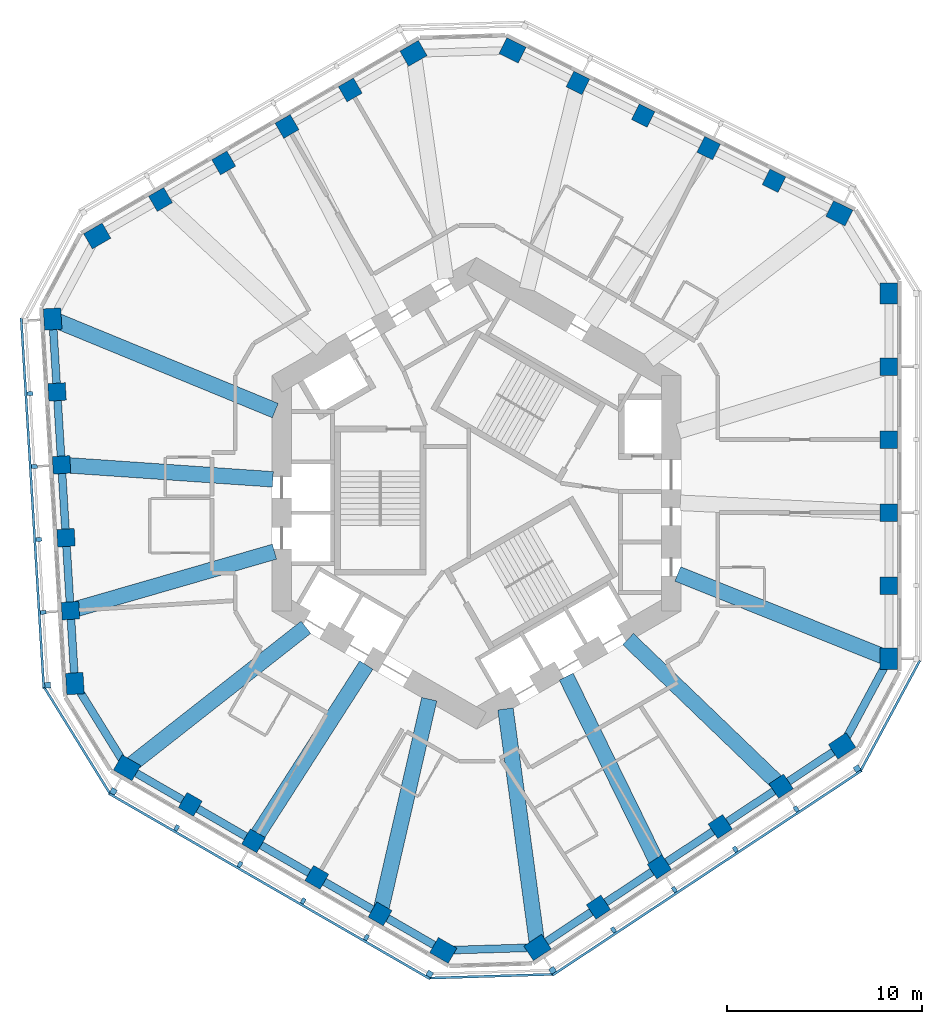
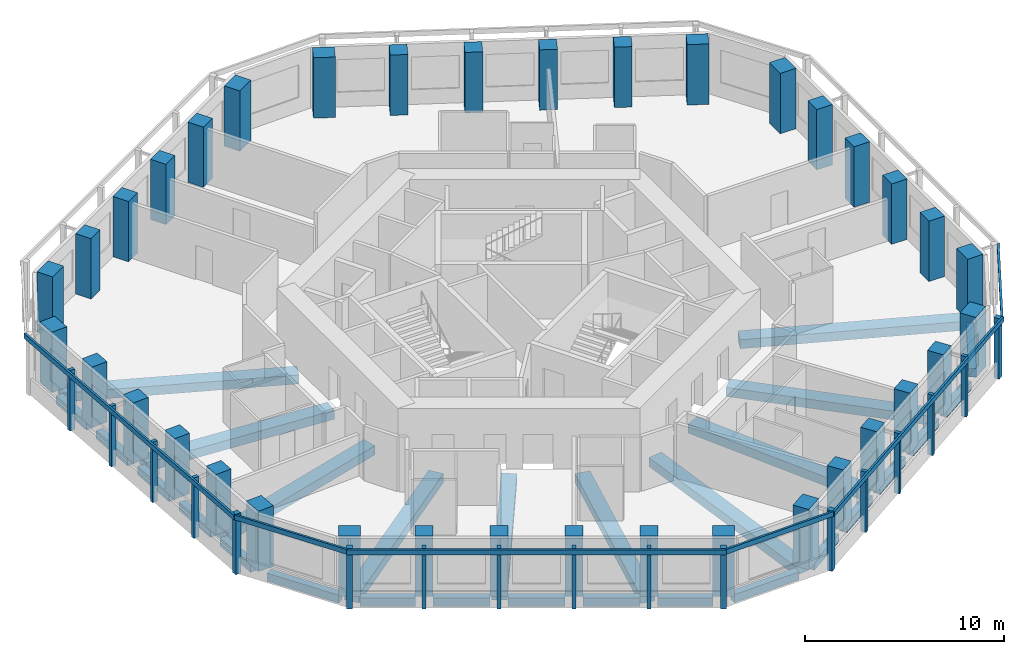
# One storey, part 1 of 11: 36 columns, 28 beams, 23 members, 6 elements without a shape of their own.
"""IFC4 building model written with IfcOpenShell, lengths in metres."""

import ifcopenshell
import ifcopenshell.guid

model = None  # the IFC model being written
_history = None  # IfcOwnerHistory: only IFC2X3 demands one
_inside = {}  # id of a spatial element -> (the spatial element, [elements in it])
_under = {}  # id of a project, library or spatial element -> (it, [spatial elements below it])
_declared = {}  # id of a project -> (the project, [libraries it declares])
_typed = {}  # id of a type object -> (the type object, [elements of that type])
_made_of = {}  # id of a material, layer set ... -> (it, [elements and type objects made of it])


def new_model(schema):
    """Start an empty IFC model of exactly this schema.

    Asked for "IFC4X3", IfcOpenShell would pick the latest addendum, in which some entities
    have other attributes; the version numbers below select the first issue.
    IFC2X3 requires an IfcOwnerHistory on every rooted entity: one is made here for all.
    """
    global model, _history
    if schema == "IFC4X3":
        model = ifcopenshell.file(schema_version=(4, 3, 0, 0))
    else:
        model = ifcopenshell.file(schema=schema)
    _inside.clear()
    _under.clear()
    _declared.clear()
    _typed.clear()
    _made_of.clear()
    _history = None
    if model.schema == "IFC2X3":
        org = make("IfcOrganization", Name="unknown")
        user = make(
            "IfcPersonAndOrganization",
            ThePerson=make("IfcPerson", FamilyName="unknown"),
            TheOrganization=org,
        )
        app = make(
            "IfcApplication",
            ApplicationDeveloper=org,
            Version="unknown",
            ApplicationFullName="unknown",
            ApplicationIdentifier="unknown",
        )
        _history = make(
            "IfcOwnerHistory",
            OwningUser=user,
            OwningApplication=app,
            ChangeAction="ADDED",
            CreationDate=0,
        )
    return model


def make(cls, **values):
    """One entity of the class cls with the attributes given. An attribute that is None is left unset."""
    return model.create_entity(
        cls, **{name: value for name, value in values.items() if value is not None}
    )


def rooted(cls, **values):
    """An entity with a GlobalId (a new one), such as an element, a storey or a relation."""
    return make(cls, GlobalId=ifcopenshell.guid.new(), OwnerHistory=_history, **values)


def si_unit(unit_type, name, prefix=None):
    """IfcSIUnit, for example si_unit("LENGTHUNIT", "METRE", prefix="MILLI")."""
    return make("IfcSIUnit", UnitType=unit_type, Prefix=prefix, Name=name)


def assignment(units):
    """IfcUnitAssignment: the units of a project."""
    return None if units is None else make("IfcUnitAssignment", Units=units)


def point(xyz):
    """IfcCartesianPoint."""
    return None if xyz is None else make("IfcCartesianPoint", Coordinates=xyz)


def direction(xyz):
    """IfcDirection."""
    return None if xyz is None else make("IfcDirection", DirectionRatios=xyz)


def frame(location, z_axis=None, x_axis=None):
    """IfcAxis2Placement3D, a coordinate frame: its origin and axes. An axis left out is left unset."""
    return make(
        "IfcAxis2Placement3D",
        Location=point(location),
        Axis=direction(z_axis),
        RefDirection=direction(x_axis),
    )


def frame_2d(location, x_axis=None):
    """IfcAxis2Placement2D, a coordinate frame in the plane: its origin and x axis."""
    return make(
        "IfcAxis2Placement2D", Location=point(location), RefDirection=direction(x_axis)
    )


def origin():
    """The frame at (0, 0, 0) with its axes left unset."""
    return frame((0.0, 0.0, 0.0))


def origin_2d():
    """The frame at (0, 0) in the plane with its x axis left unset."""
    return frame_2d((0.0, 0.0))


def place(relative_to, where):
    """IfcLocalPlacement: puts the frame where relative to a parent placement (None: the world)."""
    return make(
        "IfcLocalPlacement", PlacementRelTo=relative_to, RelativePlacement=where
    )


def context(
    kind, dimensions, precision=None, world=None, true_north=None, identifier=None
):
    """IfcGeometricRepresentationContext, for example the 3D "Model" context."""
    return make(
        "IfcGeometricRepresentationContext",
        ContextIdentifier=identifier,
        ContextType=kind,
        CoordinateSpaceDimension=dimensions,
        Precision=precision,
        WorldCoordinateSystem=world,
        TrueNorth=true_north,
    )


def subcontext(parent, identifier, kind, view, scale=None):
    """IfcGeometricRepresentationSubContext, for example "Body" below "Model"."""
    return make(
        "IfcGeometricRepresentationSubContext",
        ContextIdentifier=identifier,
        ContextType=kind,
        ParentContext=parent,
        TargetScale=scale,
        TargetView=view,
    )


def project(units=None, contexts=None):
    """IfcProject with its units and contexts."""
    return rooted(
        "IfcProject",
        Name="project",
        RepresentationContexts=contexts,
        UnitsInContext=assignment(units),
    )


def spatial(cls, under=None, at=None, **own):
    """A site, building, storey or space (cls), placed at a placement, below another one or the project."""
    s = rooted(cls, ObjectPlacement=at, **own)
    if under is not None:
        _under.setdefault(under.id(), (under, []))[1].append(s)
    return s


def profile(cls, at=None, kind="AREA", **sizes):
    """A parametric profile (cls). Its sizes go by their IFC names, for example OverallWidth=200.0."""
    return make(cls, ProfileType=kind, Position=at, **sizes)


def rectangle(**sizes):
    """IfcRectangleProfileDef."""
    return profile("IfcRectangleProfileDef", **sizes)


def extrude(swept, where, along, depth):
    """IfcExtrudedAreaSolid: the profile swept, set in the frame where, extruded along a direction by depth."""
    return make(
        "IfcExtrudedAreaSolid",
        SweptArea=swept,
        Position=where,
        ExtrudedDirection=direction(along),
        Depth=depth,
    )


def shape(context_of_items, identifier, shape_type, items):
    """IfcShapeRepresentation: the items that make up one representation, for example the "Body"."""
    return make(
        "IfcShapeRepresentation",
        ContextOfItems=context_of_items,
        RepresentationIdentifier=identifier,
        RepresentationType=shape_type,
        Items=items,
    )


def material(Name=None, Category=None):
    """IfcMaterial."""
    return make("IfcMaterial", Name=Name, Category=Category)


def material_profile(
    of_material, cross_section, Name=None, Category=None, Priority=None
):
    """IfcMaterialProfile: a cross section and its material."""
    return make(
        "IfcMaterialProfile",
        Name=Name,
        Material=of_material,
        Profile=cross_section,
        Priority=Priority,
        Category=Category,
    )


def profile_set(profiles, Name=None, composite=None):
    """IfcMaterialProfileSet."""
    return make(
        "IfcMaterialProfileSet",
        Name=Name,
        MaterialProfiles=profiles,
        CompositeProfile=composite,
    )


def made_of(thing, what):
    """Note that an element or type object is made of a material, layer set ...; save() writes the relation."""
    if what is not None:
        _made_of.setdefault(what.id(), (what, []))[1].append(thing)
    return thing


def type_object(cls, material=None, **own):
    """A type object (cls), such as IfcWallType, which elements share."""
    return made_of(rooted(cls, **own), material)


def element(
    cls,
    number,
    at=None,
    inside=None,
    cuts=None,
    type_object=None,
    material=None,
    context=None,
    identifier="Body",
    shape_type=None,
    held_by="IfcProductDefinitionShape",
    body=None,
    shapes=None,
    **own,
):
    """One element of the class cls, such as IfcWall. Its Tag is "e" and its number.

    at: its placement. inside: the storey or other place that contains it. cuts: it is an
    opening in that element (IfcRelVoidsElement). A single representation is given by context,
    identifier, shape_type and body (its items); several are given by shapes. held_by: the class
    of the entity that holds the representations. save() writes the other relations.
    """
    e = rooted(cls, Tag="e%d" % number, ObjectPlacement=at, **own)
    if body is not None:
        shapes = [shape(context, identifier, shape_type, body)]
    if shapes is not None:
        e.Representation = make(held_by, Representations=shapes)
    if inside is not None:
        _inside.setdefault(inside.id(), (inside, []))[1].append(e)
    if cuts is not None:
        rooted(
            "IfcRelVoidsElement", RelatingBuildingElement=cuts, RelatedOpeningElement=e
        )
    if type_object is not None:
        _typed.setdefault(type_object.id(), (type_object, []))[1].append(e)
    return made_of(e, material)


def aggregate(whole, parts):
    """IfcRelAggregates: a whole, such as a stair, and the parts it consists of."""
    return rooted("IfcRelAggregates", RelatingObject=whole, RelatedObjects=parts)


def save(model, path):
    """Write the relations noted so far, then the file.

    IfcRelAggregates (storeys below a building ...), IfcRelContainedInSpatialStructure (elements
    in a storey), IfcRelDefinesByType, IfcRelAssociatesMaterial and IfcRelDeclares: one each for
    every whole, place, type object, material and project.
    """
    for whole, parts in _under.values():
        aggregate(whole, parts)
    for where, things in _inside.values():
        rooted(
            "IfcRelContainedInSpatialStructure",
            RelatedElements=things,
            RelatingStructure=where,
        )
    for kind, things in _typed.values():
        rooted("IfcRelDefinesByType", RelatedObjects=things, RelatingType=kind)
    for what, things in _made_of.values():
        rooted("IfcRelAssociatesMaterial", RelatedObjects=things, RelatingMaterial=what)
    for by, libraries in _declared.values():
        rooted("IfcRelDeclares", RelatingContext=by, RelatedDefinitions=libraries)
    model.write(path)


model = new_model("IFC4")

# Units and contexts
model_context = context("Model", 3, precision=1e-05, world=origin(), true_north=direction((0.0, 1.0)))
body_context = subcontext(model_context, "Body", "Model", "MODEL_VIEW")
ifc_project = project(units=[si_unit("LENGTHUNIT", "METRE"), si_unit("AREAUNIT", "SQUARE_METRE"), si_unit("VOLUMEUNIT", "CUBIC_METRE"), si_unit("PLANEANGLEUNIT", "RADIAN"), si_unit("MASSUNIT", "GRAM", prefix="KILO")], contexts=[model_context])

# Site, building, storey
site_placement = place(None, origin())
site = spatial("IfcSite", under=ifc_project, at=site_placement, CompositionType="ELEMENT")
building_placement = place(site_placement, origin())
building = spatial("IfcBuilding", under=site, at=building_placement, Name="Vanh Sen Convention Tower", CompositionType="ELEMENT")
storey_placement = place(building_placement, frame((0.0, 0.0, 202.10009765625)))
storey = spatial("IfcBuildingStorey", under=building, at=storey_placement, Name="L50", CompositionType="ELEMENT", Elevation=202.10009765625)

# Columns
ifc_material_1 = material(Name="Concrete C80/95", Category="concrete")
ifc_material_profile_1 = material_profile(ifc_material_1, rectangle(XDim=0.89990234375, YDim=0.89990234375, at=origin_2d()), Name="RC 900X900")
ifc_profile_set_1 = profile_set([ifc_material_profile_1], Name="Concrete C80/95")
column_type_1 = type_object("IfcColumnType", Name="Facade column 900 x 900 C80/95", PredefinedType="COLUMN", material=ifc_profile_set_1)
for number, where, z_axis, x_axis, name in (
    (1, (21.199951171875, -4.746826171875, 0.0), (0.0, 0.0, 1.0), (0.0, 1.0, 0.0), "Facade column 02 L50"),
    (2, (21.199951171875, -0.992919921875, 0.0), (0.0, 0.0, 1.0), (0.0, 1.0, 0.0), "Facade column 03 L50"),
    (3, (21.199951171875, 2.76123046875, 0.0), (0.0, 0.0, 1.0), (0.0, 1.0, 0.0), "Facade column 04 L50"),
    (4, (21.199951171875, 6.515380859375, 0.0), (0.0, 0.0, 1.0), (0.0, 1.0, 0.0), "Facade column 05 L50"),
    (5, (15.290283203125, 16.0654296875, 0.0), (0.0, 0.0, 1.0), (-0.894934361602, 0.44619781311, 0.0), "Facade column 08 L50"),
    (6, (11.9306640625, 17.740478515625, 0.0), (0.0, 0.0, 1.0), (-0.894934361602, 0.44619781311, 0.0), "Facade column 09 L50"),
    (7, (8.57080078125, 19.41552734375, 0.0), (0.0, 0.0, 1.0), (-0.894934361602, 0.44619781311, 0.0), "Facade column 10 L50"),
    (8, (5.211181640625, 21.0908203125, 0.0), (0.0, 0.0, 1.0), (-0.894934361602, 0.44619781311, 0.0), "Facade column 11 L50"),
    (9, (-6.489013671875, 20.733154296875, 0.0), (0.0, 0.0, 1.0), (-0.866025403784, -0.5, 0.0), "Facade column 14 L50"),
    (10, (-9.740234375, 18.856201171875, 0.0), (0.0, 0.0, 1.0), (-0.866025403784, -0.5, 0.0), "Facade column 15 L50"),
    (11, (-12.991455078125, 16.97900390625, 0.0), (0.0, 0.0, 1.0), (-0.866025403784, -0.5, 0.0), "Facade column 16 L50"),
    (12, (-16.242431640625, 15.10205078125, 0.0), (0.0, 0.0, 1.0), (-0.866025403784, -0.5, 0.0), "Facade column 17 L50"),
    (13, (-21.55810546875, 5.208984375, 0.0), (0.0, 0.0, 1.0), (0.061048539535, -0.998134798422, 0.0), "Facade column 20 L50"),
    (14, (-21.3291015625, 1.4619140625, 0.0), (0.0, 0.0, 1.0), (0.061048539535, -0.998134798422, 0.0), "Facade column 21 L50"),
    (15, (-21.099853515625, -2.28515625, 0.0), (0.0, 0.0, 1.0), (0.061048539535, -0.998134798422, 0.0), "Facade column 22 L50"),
    (16, (-20.87060546875, -6.0322265625, 0.0), (0.0, 0.0, 1.0), (0.061048539535, -0.998134798422, 0.0), "Facade column 23 L50"),
    (17, (-14.7109375, -15.986328125, 0.0), (0.0, 0.0, 1.0), (0.866025403784, -0.5, 0.0), "Facade column 26 L50"),
    (18, (-11.459716796875, -17.86328125, 0.0), (0.0, 0.0, 1.0), (0.866025403784, -0.5, 0.0), "Facade column 27 L50"),
    (19, (-8.20849609375, -19.740478515625, 0.0), (0.0, 0.0, 1.0), (0.866025403784, -0.5, 0.0), "Facade column 28 L50"),
    (20, (-4.95751953125, -21.617431640625, 0.0), (0.0, 0.0, 1.0), (0.866025403784, -0.5, 0.0), "Facade column 29 L50"),
    (21, (6.267822265625, -21.2744140625, 0.0), (0.0, 0.0, 1.0), (0.833885822067, 0.551936985312, 0.0), "Facade column 32 L50"),
    (22, (9.3984375, -19.202392578125, 0.0), (0.0, 0.0, 1.0), (0.833885822067, 0.551936985312, 0.0), "Facade column 33 L50"),
    (23, (12.52880859375, -17.13037109375, 0.0), (0.0, 0.0, 1.0), (0.833885822067, 0.551936985312, 0.0), "Facade column 34 L50"),
    (24, (15.659423828125, -15.058349609375, 0.0), (0.0, 0.0, 1.0), (0.833885822067, 0.551936985312, 0.0), "Facade column 35 L50"),
):
    element("IfcColumn", number, at=place(storey_placement, frame(where, z_axis=z_axis, x_axis=x_axis)), inside=storey, type_object=column_type_1, Name=name, PredefinedType="COLUMN", context=body_context, shape_type="SweptSolid", body=[
        extrude(rectangle(XDim=0.89990234375, YDim=0.89990234375, at=origin_2d()), origin(), (0.0, 0.0, 1.0), 3.699951171875),
    ])
ifc_material_profile_2 = material_profile(ifc_material_1, rectangle(XDim=1.10009765625, YDim=0.89990234375, at=origin_2d()), Name="RC 1100X900")
ifc_profile_set_2 = profile_set([ifc_material_profile_2], Name="Concrete C80/95")
column_type_2 = type_object("IfcColumnType", Name="Facade corner column 1100 x 900 C80/95", PredefinedType="COLUMN", material=ifc_profile_set_2)
for number, where, z_axis, x_axis, name in (
    (25, (21.199951171875, -8.5009765625, 0.0), (0.0, 0.0, 1.0), (0.0, 1.0, 0.0), "Facade column 01 L50"),
    (26, (21.199951171875, 10.26953125, 0.0), (0.0, 0.0, 1.0), (0.0, 1.0, 0.0), "Facade column 06 L50"),
    (27, (18.64990234375, 14.390380859375, 0.0), (0.0, 0.0, 1.0), (-0.894934361602, 0.44619781311, 0.0), "Facade column 07 L50"),
    (28, (1.8515625, 22.765625, 0.0), (0.0, 0.0, 1.0), (-0.894934361602, 0.44619781311, 0.0), "Facade column 12 L50"),
    (29, (-3.23779296875, 22.610107421875, 0.0), (0.0, 0.0, 1.0), (-0.866025403784, -0.5, 0.0), "Facade column 13 L50"),
    (30, (-19.49365234375, 13.22509765625, 0.0), (0.0, 0.0, 1.0), (-0.866025403784, -0.5, 0.0), "Facade column 18 L50"),
    (31, (-21.787353515625, 8.956298828125, 0.0), (0.0, 0.0, 1.0), (0.061048539535, -0.998134798422, 0.0), "Facade column 19 L50"),
    (32, (-20.6416015625, -9.779296875, 0.0), (0.0, 0.0, 1.0), (0.061048539535, -0.998134798422, 0.0), "Facade column 24 L50"),
    (33, (-17.962158203125, -14.109130859375, 0.0), (0.0, 0.0, 1.0), (0.866025403784, -0.5, 0.0), "Facade column 25 L50"),
    (34, (-1.706298828125, -23.494384765625, 0.0), (0.0, 0.0, 1.0), (0.866025403784, -0.5, 0.0), "Facade column 30 L50"),
    (35, (3.137451171875, -23.346435546875, 0.0), (0.0, 0.0, 1.0), (0.833885822067, 0.551936985312, 0.0), "Facade column 31 L50"),
    (36, (18.789794921875, -12.986328125, 0.0), (0.0, 0.0, 1.0), (0.833885822067, 0.551936985312, 0.0), "Facade column 36 L50"),
):
    element("IfcColumn", number, at=place(storey_placement, frame(where, z_axis=z_axis, x_axis=x_axis)), inside=storey, type_object=column_type_2, Name=name, PredefinedType="COLUMN", context=body_context, shape_type="SweptSolid", body=[
        extrude(rectangle(XDim=1.10009765625, YDim=0.89990234375, at=origin_2d()), origin(), (0.0, 0.0, 1.0), 3.699951171875),
    ])

# Curtain wall, member
ifc_material_2 = material(Name="Concrete C50/60", Category="concrete")
curtain_wall_type = type_object("IfcCurtainWallType", Name="Outer skin office zone", PredefinedType="NOTDEFINED", material=ifc_material_2)
curtain_wall_1_placement = place(storey_placement, origin())
curtain_wall_1 = element("IfcCurtainWall", 37, at=curtain_wall_1_placement, inside=storey, type_object=curtain_wall_type, Name="OUTER SKIN W L50", PredefinedType="NOTDEFINED")
ifc_material_profile_3 = material_profile(ifc_material_2, rectangle(XDim=0.300048828125, YDim=0.300048828125, at=origin_2d()), Name="Outer skin precast corner fin 300 x 300")
ifc_profile_set_3 = profile_set([ifc_material_profile_3], Name="Concrete C50/60")
member_type_1 = type_object("IfcMemberType", Name="Outer skin precast corner fin 300 x 300", PredefinedType="MULLION", material=ifc_profile_set_3)
member_1_placement = place(storey_placement, frame((-22.038818359375, -9.864990234375, 0.0), z_axis=(0.0, 0.0, 1.0), x_axis=(0.061048539535, -0.998134798422, 0.0)))
member_1 = element("IfcMember", 38, at=member_1_placement, type_object=member_type_1, Name="OUTER SKIN CORNER FIN 6 W L50", PredefinedType="MULLION", context=body_context, shape_type="SweptSolid", body=[
    extrude(rectangle(XDim=0.300048828125, YDim=0.300048828125, at=origin_2d()), origin(), (0.0, 0.0, 1.0), 3.699951171875),
])

# Curtain wall, members
curtain_wall_2_placement = place(storey_placement, origin())
curtain_wall_2 = element("IfcCurtainWall", 39, at=curtain_wall_2_placement, inside=storey, type_object=curtain_wall_type, Name="OUTER SKIN SW L50", PredefinedType="NOTDEFINED")
member_2_placement = place(storey_placement, frame((-18.662109375, -15.321533203125, 0.0), z_axis=(0.0, 0.0, 1.0), x_axis=(0.866025403784, -0.5, 0.0)))
member_2 = element("IfcMember", 40, at=member_2_placement, type_object=member_type_1, Name="OUTER SKIN CORNER FIN 1 SW L50", PredefinedType="MULLION", context=body_context, shape_type="SweptSolid", body=[
    extrude(rectangle(XDim=0.300048828125, YDim=0.300048828125, at=origin_2d()), origin(), (0.0, 0.0, 1.0), 3.699951171875),
])
member_3_placement = place(storey_placement, frame((-2.40625, -24.706787109375, 0.0), z_axis=(0.0, 0.0, 1.0), x_axis=(0.866025403784, -0.5, 0.0)))
member_3 = element("IfcMember", 41, at=member_3_placement, type_object=member_type_1, Name="OUTER SKIN CORNER FIN 6 SW L50", PredefinedType="MULLION", context=body_context, shape_type="SweptSolid", body=[
    extrude(rectangle(XDim=0.300048828125, YDim=0.300048828125, at=origin_2d()), origin(), (0.0, 0.0, 1.0), 3.699951171875),
])

curtain_wall_3_placement = place(storey_placement, origin())
curtain_wall_3 = element("IfcCurtainWall", 42, at=curtain_wall_3_placement, inside=storey, type_object=curtain_wall_type, Name="OUTER SKIN SE L50", PredefinedType="NOTDEFINED")
member_4_placement = place(storey_placement, frame((3.91015625, -24.513916015625, 0.0), z_axis=(0.0, 0.0, 1.0), x_axis=(0.833885822067, 0.551936985312, 0.0)))
member_4 = element("IfcMember", 43, at=member_4_placement, type_object=member_type_1, Name="OUTER SKIN CORNER FIN 1 SE L50", PredefinedType="MULLION", context=body_context, shape_type="SweptSolid", body=[
    extrude(rectangle(XDim=0.300048828125, YDim=0.300048828125, at=origin_2d()), origin(), (0.0, 0.0, 1.0), 3.699951171875),
])
member_5_placement = place(storey_placement, frame((19.5625, -14.15380859375, 0.0), z_axis=(0.0, 0.0, 1.0), x_axis=(0.833885822067, 0.551936985312, 0.0)))
member_5 = element("IfcMember", 44, at=member_5_placement, type_object=member_type_1, Name="OUTER SKIN CORNER FIN 6 SE L50", PredefinedType="MULLION", context=body_context, shape_type="SweptSolid", body=[
    extrude(rectangle(XDim=0.300048828125, YDim=0.300048828125, at=origin_2d()), origin(), (0.0, 0.0, 1.0), 3.699951171875),
])

# Member
ifc_material_profile_4 = material_profile(ifc_material_2, rectangle(XDim=0.199951171875, YDim=0.300048828125, at=origin_2d()), Name="Outer skin precast fin 200 x 300")
ifc_profile_set_4 = profile_set([ifc_material_profile_4], Name="Concrete C50/60")
member_type_2 = type_object("IfcMemberType", Name="Outer skin precast fin 200 x 300", PredefinedType="MULLION", material=ifc_profile_set_4)
member_6_placement = place(storey_placement, frame((-22.95556640625, 5.12353515625, 0.0), z_axis=(0.0, 0.0, 1.0), x_axis=(0.061048539535, -0.998134798422, 0.0)))
member_6 = element("IfcMember", 45, at=member_6_placement, type_object=member_type_2, Name="OUTER SKIN fin 2 W L50", PredefinedType="MULLION", context=body_context, shape_type="SweptSolid", body=[
    extrude(rectangle(XDim=0.199951171875, YDim=0.300048828125, at=origin_2d()), origin(), (0.0, 0.0, 1.0), 3.699951171875),
])

member_7_placement = place(storey_placement, frame((-22.726318359375, 1.37646484375, 0.0), z_axis=(0.0, 0.0, 1.0), x_axis=(0.061048539535, -0.998134798422, 0.0)))
member_7 = element("IfcMember", 46, at=member_7_placement, type_object=member_type_2, Name="OUTER SKIN fin 3 W L50", PredefinedType="MULLION", context=body_context, shape_type="SweptSolid", body=[
    extrude(rectangle(XDim=0.199951171875, YDim=0.300048828125, at=origin_2d()), origin(), (0.0, 0.0, 1.0), 3.699951171875),
])

member_8_placement = place(storey_placement, frame((-22.497314453125, -2.37060546875, 0.0), z_axis=(0.0, 0.0, 1.0), x_axis=(0.061048539535, -0.998134798422, 0.0)))
member_8 = element("IfcMember", 47, at=member_8_placement, type_object=member_type_2, Name="OUTER SKIN fin 4 W L50", PredefinedType="MULLION", context=body_context, shape_type="SweptSolid", body=[
    extrude(rectangle(XDim=0.199951171875, YDim=0.300048828125, at=origin_2d()), origin(), (0.0, 0.0, 1.0), 3.699951171875),
])

member_9_placement = place(storey_placement, frame((-22.26806640625, -6.117919921875, 0.0), z_axis=(0.0, 0.0, 1.0), x_axis=(0.061048539535, -0.998134798422, 0.0)))
member_9 = element("IfcMember", 48, at=member_9_placement, type_object=member_type_2, Name="OUTER SKIN fin 5 W L50", PredefinedType="MULLION", context=body_context, shape_type="SweptSolid", body=[
    extrude(rectangle(XDim=0.199951171875, YDim=0.300048828125, at=origin_2d()), origin(), (0.0, 0.0, 1.0), 3.699951171875),
])

member_10_placement = place(storey_placement, frame((-15.410888671875, -17.19873046875, 0.0), z_axis=(0.0, 0.0, 1.0), x_axis=(0.866025403784, -0.5, 0.0)))
member_10 = element("IfcMember", 49, at=member_10_placement, type_object=member_type_2, Name="OUTER SKIN fin 2 SW L50", PredefinedType="MULLION", context=body_context, shape_type="SweptSolid", body=[
    extrude(rectangle(XDim=0.199951171875, YDim=0.300048828125, at=origin_2d()), origin(), (0.0, 0.0, 1.0), 3.699951171875),
])

member_11_placement = place(storey_placement, frame((-12.159912109375, -19.07568359375, 0.0), z_axis=(0.0, 0.0, 1.0), x_axis=(0.866025403784, -0.5, 0.0)))
member_11 = element("IfcMember", 50, at=member_11_placement, type_object=member_type_2, Name="OUTER SKIN fin 3 SW L50", PredefinedType="MULLION", context=body_context, shape_type="SweptSolid", body=[
    extrude(rectangle(XDim=0.199951171875, YDim=0.300048828125, at=origin_2d()), origin(), (0.0, 0.0, 1.0), 3.699951171875),
])

member_12_placement = place(storey_placement, frame((-8.90869140625, -20.952880859375, 0.0), z_axis=(0.0, 0.0, 1.0), x_axis=(0.866025403784, -0.5, 0.0)))
member_12 = element("IfcMember", 51, at=member_12_placement, type_object=member_type_2, Name="OUTER SKIN fin 4 SW L50", PredefinedType="MULLION", context=body_context, shape_type="SweptSolid", body=[
    extrude(rectangle(XDim=0.199951171875, YDim=0.300048828125, at=origin_2d()), origin(), (0.0, 0.0, 1.0), 3.699951171875),
])

member_13_placement = place(storey_placement, frame((-5.657470703125, -22.829833984375, 0.0), z_axis=(0.0, 0.0, 1.0), x_axis=(0.866025403784, -0.5, 0.0)))
member_13 = element("IfcMember", 52, at=member_13_placement, type_object=member_type_2, Name="OUTER SKIN fin 5 SW L50", PredefinedType="MULLION", context=body_context, shape_type="SweptSolid", body=[
    extrude(rectangle(XDim=0.199951171875, YDim=0.300048828125, at=origin_2d()), origin(), (0.0, 0.0, 1.0), 3.699951171875),
])

member_14_placement = place(storey_placement, frame((7.04052734375, -22.44189453125, 0.0), z_axis=(0.0, 0.0, 1.0), x_axis=(0.833885822067, 0.551936985312, 0.0)))
member_14 = element("IfcMember", 53, at=member_14_placement, type_object=member_type_2, Name="OUTER SKIN fin 2 SE L50", PredefinedType="MULLION", context=body_context, shape_type="SweptSolid", body=[
    extrude(rectangle(XDim=0.199951171875, YDim=0.300048828125, at=origin_2d()), origin(), (0.0, 0.0, 1.0), 3.699951171875),
])

member_15_placement = place(storey_placement, frame((10.171142578125, -20.369873046875, 0.0), z_axis=(0.0, 0.0, 1.0), x_axis=(0.833885822067, 0.551936985312, 0.0)))
member_15 = element("IfcMember", 54, at=member_15_placement, type_object=member_type_2, Name="OUTER SKIN fin 3 SE L50", PredefinedType="MULLION", context=body_context, shape_type="SweptSolid", body=[
    extrude(rectangle(XDim=0.199951171875, YDim=0.300048828125, at=origin_2d()), origin(), (0.0, 0.0, 1.0), 3.699951171875),
])

member_16_placement = place(storey_placement, frame((13.301513671875, -18.2978515625, 0.0), z_axis=(0.0, 0.0, 1.0), x_axis=(0.833885822067, 0.551936985312, 0.0)))
member_16 = element("IfcMember", 55, at=member_16_placement, type_object=member_type_2, Name="OUTER SKIN fin 4 SE L50", PredefinedType="MULLION", context=body_context, shape_type="SweptSolid", body=[
    extrude(rectangle(XDim=0.199951171875, YDim=0.300048828125, at=origin_2d()), origin(), (0.0, 0.0, 1.0), 3.699951171875),
])

member_17_placement = place(storey_placement, frame((16.43212890625, -16.225830078125, 0.0), z_axis=(0.0, 0.0, 1.0), x_axis=(0.833885822067, 0.551936985312, 0.0)))
member_17 = element("IfcMember", 56, at=member_17_placement, type_object=member_type_2, Name="OUTER SKIN fin 5 SE L50", PredefinedType="MULLION", context=body_context, shape_type="SweptSolid", body=[
    extrude(rectangle(XDim=0.199951171875, YDim=0.300048828125, at=origin_2d()), origin(), (0.0, 0.0, 1.0), 3.699951171875),
])

ifc_material_profile_5 = material_profile(ifc_material_2, rectangle(XDim=0.1201171875, YDim=0.300048828125, at=origin_2d()), Name="Outer skin precast spandrel band 300 x 120")
ifc_profile_set_5 = profile_set([ifc_material_profile_5], Name="Concrete C50/60")
member_type_3 = type_object("IfcMemberType", Name="Outer skin precast spandrel band 300 x 120", PredefinedType="USERDEFINED", material=ifc_profile_set_5)
member_18_placement = place(storey_placement, frame((-23.403564453125, 9.007568359375, 3.5498046875), z_axis=(0.061052799403, -0.998134537868, 0.0), x_axis=(0.998134537868, 0.061052799403, 0.0)))
member_18 = element("IfcMember", 57, at=member_18_placement, type_object=member_type_3, Name="OUTER SKIN spandrel band W L50", ObjectType="TRANSOM", PredefinedType="USERDEFINED", context=body_context, shape_type="SweptSolid", body=[
    extrude(rectangle(XDim=0.1201171875, YDim=0.300048828125, at=origin_2d()), origin(), (0.0, 0.0, 1.0), 19.070556640625),
])

aggregate(curtain_wall_1, [member_6, member_7, member_8, member_9, member_1, member_18])

# Curtain wall, member
curtain_wall_4_placement = place(storey_placement, origin())
curtain_wall_4 = element("IfcCurtainWall", 58, at=curtain_wall_4_placement, inside=storey, type_object=curtain_wall_type, Name="OUTER SKIN CH4 L50", PredefinedType="NOTDEFINED")
member_19_placement = place(storey_placement, frame((-22.217529296875, -9.975341796875, 3.5498046875), z_axis=(0.526207913146, -0.85035594438, 0.0), x_axis=(0.85035594438, 0.526207913146, 0.0)))
member_19 = element("IfcMember", 59, at=member_19_placement, type_object=member_type_3, Name="OUTER SKIN spandrel band CH4 L50", ObjectType="TRANSOM", PredefinedType="USERDEFINED", context=body_context, shape_type="SweptSolid", body=[
    extrude(rectangle(XDim=0.1201171875, YDim=0.300048828125, at=origin_2d()), origin(), (0.0, 0.0, 1.0), 6.4169921875),
])
aggregate(curtain_wall_4, [member_19])

# Member
member_20_placement = place(storey_placement, frame((-18.89697265625, -15.428466796875, 3.5498046875), z_axis=(0.866023136587, -0.500003926881, 0.0), x_axis=(0.500003926881, 0.866023136587, 0.0)))
member_20 = element("IfcMember", 60, at=member_20_placement, type_object=member_type_3, Name="OUTER SKIN spandrel band SW L50", ObjectType="TRANSOM", PredefinedType="USERDEFINED", context=body_context, shape_type="SweptSolid", body=[
    extrude(rectangle(XDim=0.1201171875, YDim=0.300048828125, at=origin_2d()), origin(), (0.0, 0.0, 1.0), 19.070556640625),
])

aggregate(curtain_wall_2, [member_2, member_10, member_11, member_12, member_13, member_3, member_20])

# Curtain wall, member
curtain_wall_5_placement = place(storey_placement, origin())
curtain_wall_5 = element("IfcCurtainWall", 61, at=curtain_wall_5_placement, inside=storey, type_object=curtain_wall_type, Name="OUTER SKIN CH5 L50", PredefinedType="NOTDEFINED")
member_21_placement = place(storey_placement, frame((-2.39990234375, -24.916748046875, 3.5498046875), z_axis=(0.99953413443, 0.030520716071, 0.0), x_axis=(-0.030520716071, 0.99953413443, 0.0)))
member_21 = element("IfcMember", 62, at=member_21_placement, type_object=member_type_3, Name="OUTER SKIN spandrel band CH5 L50", ObjectType="TRANSOM", PredefinedType="USERDEFINED", context=body_context, shape_type="SweptSolid", body=[
    extrude(rectangle(XDim=0.1201171875, YDim=0.300048828125, at=origin_2d()), origin(), (0.0, 0.0, 1.0), 6.3193359375),
])
aggregate(curtain_wall_5, [member_21])

# Member
member_22_placement = place(storey_placement, frame((3.90087890625, -24.771728515625, 3.5498046875), z_axis=(0.833891134859, 0.551928958475, 0.0), x_axis=(-0.551928958475, 0.833891134859, 0.0)))
member_22 = element("IfcMember", 63, at=member_22_placement, type_object=member_type_3, Name="OUTER SKIN spandrel band SE L50", ObjectType="TRANSOM", PredefinedType="USERDEFINED", context=body_context, shape_type="SweptSolid", body=[
    extrude(rectangle(XDim=0.1201171875, YDim=0.300048828125, at=origin_2d()), origin(), (0.0, 0.0, 1.0), 19.070556640625),
])

aggregate(curtain_wall_3, [member_4, member_14, member_15, member_16, member_17, member_5, member_22])

# Curtain wall, member
curtain_wall_6_placement = place(storey_placement, origin())
curtain_wall_6 = element("IfcCurtainWall", 64, at=curtain_wall_6_placement, inside=storey, type_object=curtain_wall_type, Name="OUTER SKIN CH6 L50", PredefinedType="NOTDEFINED")
member_23_placement = place(storey_placement, frame((19.74755859375, -14.253173828125, 3.5498046875), z_axis=(0.473316922434, 0.880892213008, 0.0), x_axis=(-0.880892213008, 0.473316922434, 0.0)))
member_23 = element("IfcMember", 65, at=member_23_placement, type_object=member_type_3, Name="OUTER SKIN spandrel band CH6 L50", ObjectType="TRANSOM", PredefinedType="USERDEFINED", context=body_context, shape_type="SweptSolid", body=[
    extrude(rectangle(XDim=0.1201171875, YDim=0.300048828125, at=origin_2d()), origin(), (0.0, 0.0, 1.0), 6.417236328125),
])
aggregate(curtain_wall_6, [member_23])

# Beams
ifc_material_3 = material(Name="Concrete C50/60", Category="concrete")
ifc_material_profile_6 = material_profile(ifc_material_3, rectangle(XDim=0.800048828125, YDim=0.550048828125, at=origin_2d()), Name="RC 800X550")
ifc_profile_set_6 = profile_set([ifc_material_profile_6], Name="Concrete C50/60")
beam_type_1 = type_object("IfcBeamType", Name="Radial floor beam 800 x 550", PredefinedType="BEAM", material=ifc_profile_set_6)
beam_1_placement = place(storey_placement, frame((20.903564453125, -8.382080078125, -0.55517578125), z_axis=(-0.928156603648, 0.372189896565, 0.0), x_axis=(-0.372189896565, -0.928156603648, 0.0)))
element("IfcBeam", 66, at=beam_1_placement, inside=storey, type_object=beam_type_1, Name="Radial beam 01 L50", PredefinedType="BEAM", context=body_context, shape_type="SweptSolid", body=[
    extrude(rectangle(XDim=0.800048828125, YDim=0.550048828125, at=origin_2d()), origin(), (0.0, 0.0, 1.0), 11.374267578125),
])
beam_2_placement = place(storey_placement, frame((-21.5087890625, 8.841796875, -0.55517578125), z_axis=(0.924896155716, -0.38021980635, 0.0), x_axis=(0.38021980635, 0.924896155716, 0.0)))
element("IfcBeam", 67, at=beam_2_placement, inside=storey, type_object=beam_type_1, Name="Radial beam 10 L50", PredefinedType="BEAM", context=body_context, shape_type="SweptSolid", body=[
    extrude(rectangle(XDim=0.800048828125, YDim=0.550048828125, at=origin_2d()), origin(), (0.0, 0.0, 1.0), 12.072265625),
])
beam_3_placement = place(storey_placement, frame((-20.93310546875, 1.434814453125, -0.55517578125), z_axis=(0.997659434277, -0.068378748143, 0.0), x_axis=(0.068378748143, 0.997659434277, 0.0)))
element("IfcBeam", 68, at=beam_3_placement, inside=storey, type_object=beam_type_1, Name="Radial beam 11 L50", PredefinedType="BEAM", context=body_context, shape_type="SweptSolid", body=[
    extrude(rectangle(XDim=0.800048828125, YDim=0.550048828125, at=origin_2d()), origin(), (0.0, 0.0, 1.0), 10.489990234375),
])
beam_4_placement = place(storey_placement, frame((-20.61328125, -5.9580078125, -0.55517578125), z_axis=(0.96067232832, 0.277684492906, 0.0), x_axis=(-0.277684492906, 0.96067232832, 0.0)))
element("IfcBeam", 69, at=beam_4_placement, inside=storey, type_object=beam_type_1, Name="Radial beam 12 L50", PredefinedType="BEAM", context=body_context, shape_type="SweptSolid", body=[
    extrude(rectangle(XDim=0.800048828125, YDim=0.550048828125, at=origin_2d()), origin(), (0.0, 0.0, 1.0), 10.64794921875),
])
beam_5_placement = place(storey_placement, frame((-17.7109375, -13.911865234375, -0.55517578125), z_axis=(0.786403987122, 0.617712529449, 0.0), x_axis=(-0.617712529449, 0.786403987122, 0.0)))
element("IfcBeam", 70, at=beam_5_placement, inside=storey, type_object=beam_type_1, Name="Radial beam 13 L50", PredefinedType="BEAM", context=body_context, shape_type="SweptSolid", body=[
    extrude(rectangle(XDim=0.800048828125, YDim=0.550048828125, at=origin_2d()), origin(), (0.0, 0.0, 1.0), 11.3740234375),
])
beam_6_placement = place(storey_placement, frame((-11.2294921875, -17.504150390625, -0.55517578125), z_axis=(0.539967356894, 0.841685958947, 0.0), x_axis=(-0.841685958947, 0.539967356894, 0.0)))
element("IfcBeam", 71, at=beam_6_placement, inside=storey, type_object=beam_type_1, Name="Radial beam 14 L50", PredefinedType="BEAM", context=body_context, shape_type="SweptSolid", body=[
    extrude(rectangle(XDim=0.800048828125, YDim=0.550048828125, at=origin_2d()), origin(), (0.0, 0.0, 1.0), 10.308837890625),
])
beam_7_placement = place(storey_placement, frame((-4.9072265625, -21.39794921875, -0.55517578125), z_axis=(0.223532057965, 0.974696577947, 0.0), x_axis=(-0.974696577947, 0.223532057965, 0.0)))
element("IfcBeam", 72, at=beam_7_placement, inside=storey, type_object=beam_type_1, Name="Radial beam 15 L50", PredefinedType="BEAM", context=body_context, shape_type="SweptSolid", body=[
    extrude(rectangle(XDim=0.800048828125, YDim=0.550048828125, at=origin_2d()), origin(), (0.0, 0.0, 1.0), 11.0966796875),
])
beam_8_placement = place(storey_placement, frame((3.097412109375, -23.0478515625, -0.55517578125), z_axis=(-0.133194270132, 0.991089948695, 0.0), x_axis=(-0.991089948695, -0.133194270132, 0.0)))
element("IfcBeam", 73, at=beam_8_placement, inside=storey, type_object=beam_type_1, Name="Radial beam 16 L50", PredefinedType="BEAM", context=body_context, shape_type="SweptSolid", body=[
    extrude(rectangle(XDim=0.800048828125, YDim=0.550048828125, at=origin_2d()), origin(), (0.0, 0.0, 1.0), 12.072021484375),
])
beam_9_placement = place(storey_placement, frame((9.22412109375, -18.84619140625, -0.55517578125), z_axis=(-0.439610391955, 0.898188567777, 0.0), x_axis=(-0.898188567777, -0.439610391955, 0.0)))
element("IfcBeam", 74, at=beam_9_placement, inside=storey, type_object=beam_type_1, Name="Radial beam 17 L50", PredefinedType="BEAM", context=body_context, shape_type="SweptSolid", body=[
    extrude(rectangle(XDim=0.800048828125, YDim=0.550048828125, at=origin_2d()), origin(), (0.0, 0.0, 1.0), 10.490234375),
])
beam_10_placement = place(storey_placement, frame((15.46630859375, -14.87255859375, -0.55517578125), z_axis=(-0.720808831616, 0.693133917987, 0.0), x_axis=(-0.693133917987, -0.720808831616, 0.0)))
element("IfcBeam", 75, at=beam_10_placement, inside=storey, type_object=beam_type_1, Name="Radial beam 18 L50", PredefinedType="BEAM", context=body_context, shape_type="SweptSolid", body=[
    extrude(rectangle(XDim=0.800048828125, YDim=0.550048828125, at=origin_2d()), origin(), (0.0, 0.0, 1.0), 10.64794921875),
])
ifc_material_profile_7 = material_profile(ifc_material_3, rectangle(XDim=0.39990234375, YDim=0.5, at=origin_2d()), Name="RC 400X500")
ifc_profile_set_7 = profile_set([ifc_material_profile_7], Name="Concrete C50/60")
beam_type_2 = type_object("IfcBeamType", Name="Spandrel beam 400 x 500", PredefinedType="SPANDREL", material=ifc_profile_set_7)
beam_11_placement = place(storey_placement, frame((-21.754150390625, 8.412353515625, -0.530029296875), z_axis=(0.061031049006, -0.998135868035, 0.0), x_axis=(0.998135868035, 0.061031049006, 0.0)))
element("IfcBeam", 76, at=beam_11_placement, inside=storey, type_object=beam_type_2, Name="Spandrel beam 19 L50", PredefinedType="SPANDREL", context=body_context, shape_type="SweptSolid", body=[
    extrude(rectangle(XDim=0.39990234375, YDim=0.5, at=origin_2d()), origin(), (0.0, 0.0, 1.0), 2.76416015625),
])
for number, where, z_axis, x_axis, name in (
    (77, (-21.531005859375, 4.764892578125, -0.530029296875), (0.06103034265, -0.998135911225, 0.0), (0.998135911225, 0.06103034265, 0.0), "Spandrel beam 20 L50"),
    (78, (-21.3017578125, 1.017822265625, -0.530029296875), (0.06103034265, -0.998135911225, 0.0), (0.998135911225, 0.06103034265, 0.0), "Spandrel beam 21 L50"),
):
    element("IfcBeam", number, at=place(storey_placement, frame(where, z_axis=z_axis, x_axis=x_axis)), inside=storey, type_object=beam_type_2, Name=name, PredefinedType="SPANDREL", context=body_context, shape_type="SweptSolid", body=[
        extrude(rectangle(XDim=0.39990234375, YDim=0.5, at=origin_2d()), origin(), (0.0, 0.0, 1.0), 2.8642578125),
    ])
beam_12_placement = place(storey_placement, frame((-21.072509765625, -2.7294921875, -0.530029296875), z_axis=(0.060950607236, -0.998140783396, 0.0), x_axis=(0.998140783396, 0.060950607236, 0.0)))
element("IfcBeam", 79, at=beam_12_placement, inside=storey, type_object=beam_type_2, Name="Spandrel beam 22 L50", PredefinedType="SPANDREL", context=body_context, shape_type="SweptSolid", body=[
    extrude(rectangle(XDim=0.39990234375, YDim=0.5, at=origin_2d()), origin(), (0.0, 0.0, 1.0), 2.864013671875),
])
beam_13_placement = place(storey_placement, frame((-20.843505859375, -6.476318359375, -0.530029296875), z_axis=(0.061025669095, -0.998136196975, 0.0), x_axis=(0.998136196975, 0.061025669095, 0.0)))
element("IfcBeam", 80, at=beam_13_placement, inside=storey, type_object=beam_type_2, Name="Spandrel beam 23 L50", PredefinedType="SPANDREL", context=body_context, shape_type="SweptSolid", body=[
    extrude(rectangle(XDim=0.39990234375, YDim=0.5, at=origin_2d()), origin(), (0.0, 0.0, 1.0), 2.764404296875),
])
beam_14_placement = place(storey_placement, frame((-20.3720703125, -10.214599609375, -0.530029296875), z_axis=(0.526212046854, -0.850353386391, 0.0), x_axis=(0.850353386391, 0.526212046854, 0.0)))
element("IfcBeam", 81, at=beam_14_placement, inside=storey, type_object=beam_type_2, Name="Spandrel beam 24 L50", PredefinedType="SPANDREL", context=body_context, shape_type="SweptSolid", body=[
    extrude(rectangle(XDim=0.39990234375, YDim=0.5, at=origin_2d()), origin(), (0.0, 0.0, 1.0), 4.06787109375),
])
beam_15_placement = place(storey_placement, frame((-17.489990234375, -14.381591796875, -0.530029296875), z_axis=(0.865984073989, -0.500071578473, 0.0), x_axis=(0.500071578473, 0.865984073989, 0.0)))
element("IfcBeam", 82, at=beam_15_placement, inside=storey, type_object=beam_type_2, Name="Spandrel beam 25 L50", PredefinedType="SPANDREL", context=body_context, shape_type="SweptSolid", body=[
    extrude(rectangle(XDim=0.39990234375, YDim=0.5, at=origin_2d()), origin(), (0.0, 0.0, 1.0), 2.76416015625),
])
beam_16_placement = place(storey_placement, frame((-14.325439453125, -16.208740234375, -0.530029296875), z_axis=(0.865999615357, -0.500044664207, 0.0), x_axis=(0.500044664207, 0.865999615357, 0.0)))
element("IfcBeam", 83, at=beam_16_placement, inside=storey, type_object=beam_type_2, Name="Spandrel beam 26 L50", PredefinedType="SPANDREL", context=body_context, shape_type="SweptSolid", body=[
    extrude(rectangle(XDim=0.39990234375, YDim=0.5, at=origin_2d()), origin(), (0.0, 0.0, 1.0), 2.864013671875),
])
beam_17_placement = place(storey_placement, frame((-11.074462890625, -18.085693359375, -0.530029296875), z_axis=(0.866020927947, -0.500007752297, 0.0), x_axis=(0.500007752297, 0.866020927947, 0.0)))
element("IfcBeam", 84, at=beam_17_placement, inside=storey, type_object=beam_type_2, Name="Spandrel beam 27 L50", PredefinedType="SPANDREL", context=body_context, shape_type="SweptSolid", body=[
    extrude(rectangle(XDim=0.39990234375, YDim=0.5, at=origin_2d()), origin(), (0.0, 0.0, 1.0), 2.8642578125),
])
beam_18_placement = place(storey_placement, frame((-7.8232421875, -19.962890625, -0.530029296875), z_axis=(0.865999615357, -0.500044664207, 0.0), x_axis=(0.500044664207, 0.865999615357, 0.0)))
element("IfcBeam", 85, at=beam_18_placement, inside=storey, type_object=beam_type_2, Name="Spandrel beam 28 L50", PredefinedType="SPANDREL", context=body_context, shape_type="SweptSolid", body=[
    extrude(rectangle(XDim=0.39990234375, YDim=0.5, at=origin_2d()), origin(), (0.0, 0.0, 1.0), 2.864013671875),
])
beam_19_placement = place(storey_placement, frame((-4.572021484375, -21.840087890625, -0.530029296875), z_axis=(0.866060565847, -0.499939092575, 0.0), x_axis=(0.499939092575, 0.866060565847, 0.0)))
element("IfcBeam", 86, at=beam_19_placement, inside=storey, type_object=beam_type_2, Name="Spandrel beam 29 L50", PredefinedType="SPANDREL", context=body_context, shape_type="SweptSolid", body=[
    extrude(rectangle(XDim=0.39990234375, YDim=0.5, at=origin_2d()), origin(), (0.0, 0.0, 1.0), 2.763916015625),
])
beam_20_placement = place(storey_placement, frame((-1.1884765625, -23.478759765625, -0.530029296875), z_axis=(0.99953273371, 0.030566554301, 0.0), x_axis=(-0.030566554301, 0.99953273371, 0.0)))
element("IfcBeam", 87, at=beam_20_placement, inside=storey, type_object=beam_type_2, Name="Spandrel beam 30 L50", PredefinedType="SPANDREL", context=body_context, shape_type="SweptSolid", body=[
    extrude(rectangle(XDim=0.39990234375, YDim=0.5, at=origin_2d()), origin(), (0.0, 0.0, 1.0), 3.809814453125),
])
beam_21_placement = place(storey_placement, frame((3.591796875, -23.045654296875, -0.530029296875), z_axis=(0.833880195108, 0.551945486625, 0.0), x_axis=(-0.551945486625, 0.833880195108, 0.0)))
element("IfcBeam", 88, at=beam_21_placement, inside=storey, type_object=beam_type_2, Name="Spandrel beam 31 L50", PredefinedType="SPANDREL", context=body_context, shape_type="SweptSolid", body=[
    extrude(rectangle(XDim=0.39990234375, YDim=0.5, at=origin_2d()), origin(), (0.0, 0.0, 1.0), 2.76416015625),
])
beam_22_placement = place(storey_placement, frame((6.638916015625, -21.02880859375, -0.530029296875), z_axis=(0.83389470575, 0.551923563297, 0.0), x_axis=(-0.551923563297, 0.83389470575, 0.0)))
element("IfcBeam", 89, at=beam_22_placement, inside=storey, type_object=beam_type_2, Name="Spandrel beam 32 L50", PredefinedType="SPANDREL", context=body_context, shape_type="SweptSolid", body=[
    extrude(rectangle(XDim=0.39990234375, YDim=0.5, at=origin_2d()), origin(), (0.0, 0.0, 1.0), 2.8642578125),
])
beam_23_placement = place(storey_placement, frame((9.76953125, -18.956787109375, -0.530029296875), z_axis=(0.833868737461, 0.551962796469, 0.0), x_axis=(-0.551962796469, 0.833868737461, 0.0)))
element("IfcBeam", 90, at=beam_23_placement, inside=storey, type_object=beam_type_2, Name="Spandrel beam 33 L50", PredefinedType="SPANDREL", context=body_context, shape_type="SweptSolid", body=[
    extrude(rectangle(XDim=0.39990234375, YDim=0.5, at=origin_2d()), origin(), (0.0, 0.0, 1.0), 2.864013671875),
])
beam_24_placement = place(storey_placement, frame((12.89990234375, -16.884765625, -0.530029296875), z_axis=(0.83389470575, 0.551923563297, 0.0), x_axis=(-0.551923563297, 0.83389470575, 0.0)))
element("IfcBeam", 91, at=beam_24_placement, inside=storey, type_object=beam_type_2, Name="Spandrel beam 34 L50", PredefinedType="SPANDREL", context=body_context, shape_type="SweptSolid", body=[
    extrude(rectangle(XDim=0.39990234375, YDim=0.5, at=origin_2d()), origin(), (0.0, 0.0, 1.0), 2.8642578125),
])
beam_25_placement = place(storey_placement, frame((16.030517578125, -14.812744140625, -0.530029296875), z_axis=(0.833880195108, 0.551945486625, 0.0), x_axis=(-0.551945486625, 0.833880195108, 0.0)))
element("IfcBeam", 92, at=beam_25_placement, inside=storey, type_object=beam_type_2, Name="Spandrel beam 35 L50", PredefinedType="SPANDREL", context=body_context, shape_type="SweptSolid", body=[
    extrude(rectangle(XDim=0.39990234375, YDim=0.5, at=origin_2d()), origin(), (0.0, 0.0, 1.0), 2.76416015625),
])
beam_26_placement = place(storey_placement, frame((19.0322265625, -12.535400390625, -0.530029296875), z_axis=(0.473330196808, 0.880885080354, 0.0), x_axis=(-0.880885080354, 0.473330196808, 0.0)))
element("IfcBeam", 93, at=beam_26_placement, inside=storey, type_object=beam_type_2, Name="Spandrel beam 36 L50", PredefinedType="SPANDREL", context=body_context, shape_type="SweptSolid", body=[
    extrude(rectangle(XDim=0.39990234375, YDim=0.5, at=origin_2d()), origin(), (0.0, 0.0, 1.0), 4.068115234375),
])

save(model, "model.ifc")
